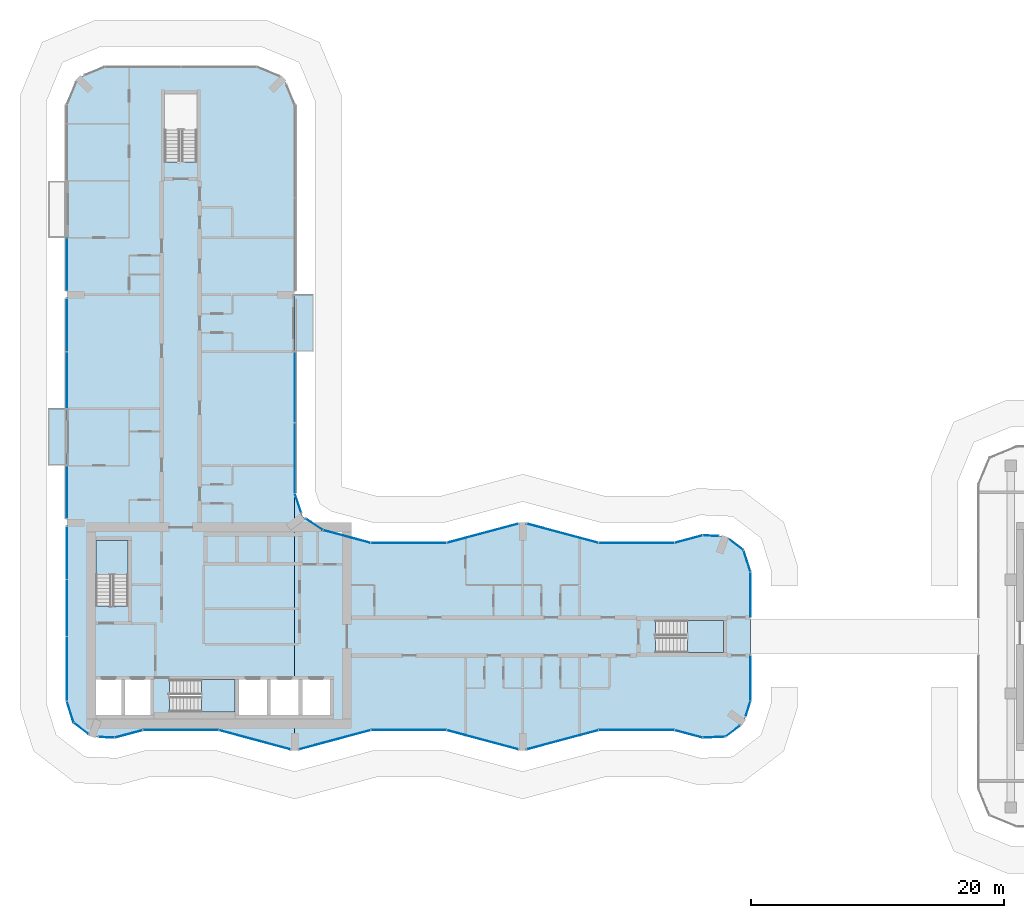
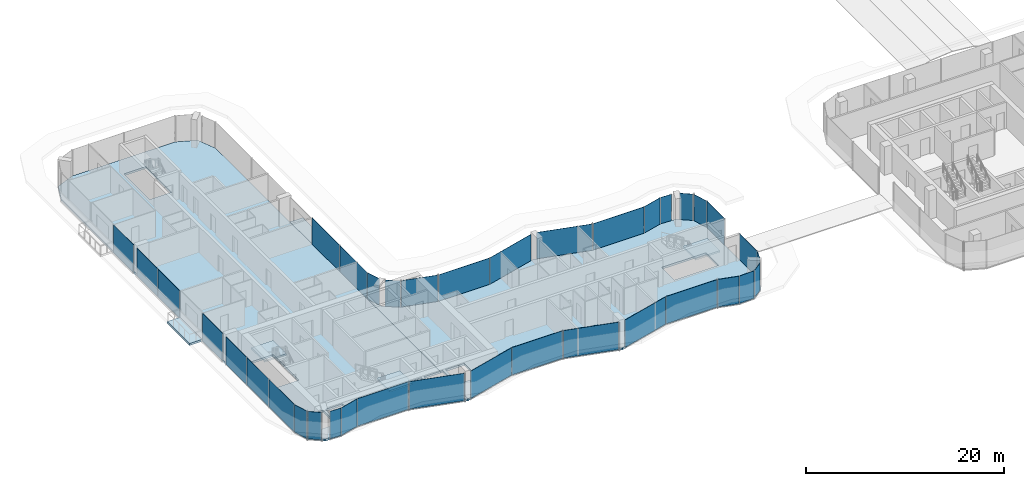
# One storey, part 11 of 24: 37 plates, 7 slabs, 36 elements without a shape of their own.
"""IFC4 building model written with IfcOpenShell, lengths in metres."""

from ifc_helpers import new_model, si_unit, direction, frame, origin, origin_2d, place, context, subcontext, project, spatial, polyline, rectangle, outline, extrude, material, layer, layer_set, type_object, element, aggregate, save


model = new_model("IFC4")

# Units and contexts
model_context = context("Model", 3, precision=1e-05, world=origin(), true_north=direction((0.0, 1.0)))
body_context = subcontext(model_context, "Body", "Model", "MODEL_VIEW")
ifc_project = project(units=[si_unit("LENGTHUNIT", "METRE"), si_unit("AREAUNIT", "SQUARE_METRE"), si_unit("VOLUMEUNIT", "CUBIC_METRE"), si_unit("PLANEANGLEUNIT", "RADIAN"), si_unit("MASSUNIT", "GRAM", prefix="KILO")], contexts=[model_context])

# Site, building, storey
site_placement = place(None, origin())
site = spatial("IfcSite", under=ifc_project, at=site_placement, CompositionType="ELEMENT")
building_placement = place(site_placement, origin())
building = spatial("IfcBuilding", under=site, at=building_placement, Name="Plateau Cross Towers", CompositionType="ELEMENT")
storey_placement = place(building_placement, frame((0.0, 0.0, 30.300048828125)))
storey = spatial("IfcBuildingStorey", under=building, at=storey_placement, Name="L06", CompositionType="ELEMENT", Elevation=30.300048828125)

# Slabs
ifc_material_1 = material(Name="Concrete C40/50", Category="concrete")
ifc_layer_1 = layer(ifc_material_1, 0.25)
ifc_layer_set_1 = layer_set([ifc_layer_1], Name="Concrete C40/50")
slab_type_1 = type_object("IfcSlabType", Name="Balcony slab 250", PredefinedType="FLOOR", material=ifc_layer_set_1)
slab_1_placement = place(storey_placement, frame((0.0, 0.0, -0.25)))
element("IfcSlab", 1, at=slab_1_placement, inside=storey, type_object=slab_type_1, Name="Balcony slab A-BAL-L06-01", PredefinedType="FLOOR", context=body_context, shape_type="SweptSolid", body=[
    extrude(outline(polyline([(0.0, 22.5), (0.0, 27.0), (-1.5, 27.0), (-1.5, 22.5), (0.0, 22.5)])), origin(), (0.0, 0.0, 1.0), 0.25),
])
slab_2_placement = place(storey_placement, frame((0.0, 0.0, -0.25)))
element("IfcSlab", 2, at=slab_2_placement, inside=storey, type_object=slab_type_1, Name="Balcony slab A-BAL-L06-03", PredefinedType="FLOOR", context=body_context, shape_type="SweptSolid", body=[
    extrude(outline(polyline([(19.5, 31.5), (19.5, 36.0), (18.0, 36.0), (18.0, 31.5), (19.5, 31.5)])), origin(), (0.0, 0.0, 1.0), 0.25),
])

# Curtain wall, plate
ifc_material_2 = material(Name="Dark low-iron glass", Category="glass")
ifc_layer_2 = layer(ifc_material_2, 0.239990234375)
ifc_layer_set_2 = layer_set([ifc_layer_2], Name="Dark low-iron glass")
curtain_wall_type_1 = type_object("IfcCurtainWallType", Name="Curtain wall flush unitised CW-B", PredefinedType="NOTDEFINED", material=ifc_layer_set_2)
curtain_wall_1_placement = place(storey_placement, origin())
curtain_wall_1 = element("IfcCurtainWall", 3, at=curtain_wall_1_placement, inside=storey, type_object=curtain_wall_type_1, Name="ENV/A/L06/A502_10", PredefinedType="NOTDEFINED")
ifc_layer_3 = layer(ifc_material_2, 0.031982421875)
ifc_layer_set_3 = layer_set([ifc_layer_3], Name="Dark low-iron glass")
plate_type_1 = type_object("IfcPlateType", Name="Glass panel 32 flush unitised", PredefinedType="CURTAIN_PANEL", material=ifc_layer_set_3)
plate_1_placement = place(storey_placement, frame((51.125, 1.05078125, -0.1298828125), z_axis=(0.0, 0.0, 1.0), x_axis=(0.999043701491, 0.043722791671, 0.0)))
plate_1 = element("IfcPlate", 4, at=plate_1_placement, type_object=plate_type_1, Name="CW-B panel 1", PredefinedType="CURTAIN_PANEL", context=body_context, shape_type="SweptSolid", body=[
    extrude(rectangle(XDim=1.744140625, YDim=0.031982421875, at=origin_2d()), origin(), (0.0, 0.0, 1.0), 3.3798828125),
])
aggregate(curtain_wall_1, [plate_1])

curtain_wall_2_placement = place(storey_placement, origin())
curtain_wall_2 = element("IfcCurtainWall", 5, at=curtain_wall_2_placement, inside=storey, type_object=curtain_wall_type_1, Name="ENV/A/L06/A520_11", PredefinedType="NOTDEFINED")
plate_2_placement = place(storey_placement, frame((52.60986328125, 1.5380859375, -0.1298828125), z_axis=(0.0, 0.0, 1.0), x_axis=(0.793315514529, 0.608810721331, 0.0)))
plate_2 = element("IfcPlate", 6, at=plate_2_placement, type_object=plate_type_1, Name="CW-B panel 1", PredefinedType="CURTAIN_PANEL", context=body_context, shape_type="SweptSolid", body=[
    extrude(rectangle(XDim=1.41162109375, YDim=0.031982421875, at=origin_2d()), origin(), (0.0, 0.0, 1.0), 3.3798828125),
])
aggregate(curtain_wall_2, [plate_2])

curtain_wall_3_placement = place(storey_placement, origin())
curtain_wall_3 = element("IfcCurtainWall", 7, at=curtain_wall_3_placement, inside=storey, type_object=curtain_wall_type_1, Name="ENV/A/L06/A536_27", PredefinedType="NOTDEFINED")
plate_3_placement = place(storey_placement, frame((53.805419921875, 3.292236328125, -0.1298828125), z_axis=(0.0, 0.0, 1.0), x_axis=(0.300686174994, 0.95372313811, 0.0)))
plate_3 = element("IfcPlate", 8, at=plate_3_placement, type_object=plate_type_1, Name="CW-B panel 1", PredefinedType="CURTAIN_PANEL", context=body_context, shape_type="SweptSolid", body=[
    extrude(rectangle(XDim=1.233642578125, YDim=0.031982421875, at=origin_2d()), origin(), (0.0, 0.0, 1.0), 3.3798828125),
])
aggregate(curtain_wall_3, [plate_3])

curtain_wall_4_placement = place(storey_placement, origin())
curtain_wall_4 = element("IfcCurtainWall", 9, at=curtain_wall_4_placement, inside=storey, type_object=curtain_wall_type_1, Name="ENV/A/L06/A540_39", PredefinedType="NOTDEFINED")
plate_4_placement = place(storey_placement, frame((54.0, 5.70458984375, -0.1298828125), z_axis=(0.0, 0.0, 1.0), x_axis=(0.0, 1.0, 0.0)))
plate_4 = element("IfcPlate", 10, at=plate_4_placement, type_object=plate_type_1, Name="CW-B panel 1", PredefinedType="CURTAIN_PANEL", context=body_context, shape_type="SweptSolid", body=[
    extrude(rectangle(XDim=3.53076171875, YDim=0.031982421875, at=origin_2d()), origin(), (0.0, 0.0, 1.0), 3.3798828125),
])
aggregate(curtain_wall_4, [plate_4])

curtain_wall_5_placement = place(storey_placement, origin())
curtain_wall_5 = element("IfcCurtainWall", 11, at=curtain_wall_5_placement, inside=storey, type_object=curtain_wall_type_1, Name="ENV/A/L06/A540_105", PredefinedType="NOTDEFINED")
plate_5_placement = place(storey_placement, frame((54.0, 12.29541015625, -0.1298828125), z_axis=(0.0, 0.0, 1.0), x_axis=(0.0, 1.0, 0.0)))
plate_5 = element("IfcPlate", 12, at=plate_5_placement, type_object=plate_type_1, Name="CW-B panel 1", PredefinedType="CURTAIN_PANEL", context=body_context, shape_type="SweptSolid", body=[
    extrude(rectangle(XDim=3.53076171875, YDim=0.031982421875, at=origin_2d()), origin(), (0.0, 0.0, 1.0), 3.3798828125),
])
aggregate(curtain_wall_5, [plate_5])

curtain_wall_6_placement = place(storey_placement, origin())
curtain_wall_6 = element("IfcCurtainWall", 13, at=curtain_wall_6_placement, inside=storey, type_object=curtain_wall_type_1, Name="ENV/A/L06/A540_141", PredefinedType="NOTDEFINED")
plate_6_placement = place(storey_placement, frame((53.728759765625, 14.951171875, -0.1298828125), z_axis=(0.0, 0.0, 1.0), x_axis=(-0.300686174994, 0.95372313811, 0.0)))
plate_6 = element("IfcPlate", 14, at=plate_6_placement, type_object=plate_type_1, Name="CW-B panel 1", PredefinedType="CURTAIN_PANEL", context=body_context, shape_type="SweptSolid", body=[
    extrude(rectangle(XDim=1.744140625, YDim=0.031982421875, at=origin_2d()), origin(), (0.0, 0.0, 1.0), 3.3798828125),
])
aggregate(curtain_wall_6, [plate_6])

curtain_wall_7_placement = place(storey_placement, origin())
curtain_wall_7 = element("IfcCurtainWall", 15, at=curtain_wall_7_placement, inside=storey, type_object=curtain_wall_type_1, Name="ENV/A/L06/A535_158", PredefinedType="NOTDEFINED")
plate_7_placement = place(storey_placement, frame((52.873779296875, 16.25927734375, -0.1298828125), z_axis=(0.0, 0.0, 1.0), x_axis=(-0.793315514529, 0.608810721331, 0.0)))
plate_7 = element("IfcPlate", 16, at=plate_7_placement, type_object=plate_type_1, Name="CW-B panel 1", PredefinedType="CURTAIN_PANEL", context=body_context, shape_type="SweptSolid", body=[
    extrude(rectangle(XDim=1.41162109375, YDim=0.031982421875, at=origin_2d()), origin(), (0.0, 0.0, 1.0), 3.3798828125),
])
aggregate(curtain_wall_7, [plate_7])

curtain_wall_8_placement = place(storey_placement, origin())
curtain_wall_8 = element("IfcCurtainWall", 17, at=curtain_wall_8_placement, inside=storey, type_object=curtain_wall_type_1, Name="ENV/A/L06/A515_169", PredefinedType="NOTDEFINED")
plate_8_placement = place(storey_placement, frame((50.8701171875, 16.96044921875, -0.1298828125), z_axis=(0.0, 0.0, 1.0), x_axis=(-0.999043701491, 0.043722791671, 0.0)))
plate_8 = element("IfcPlate", 18, at=plate_8_placement, type_object=plate_type_1, Name="CW-B panel 1", PredefinedType="CURTAIN_PANEL", context=body_context, shape_type="SweptSolid", body=[
    extrude(rectangle(XDim=1.233642578125, YDim=0.031982421875, at=origin_2d()), origin(), (0.0, 0.0, 1.0), 3.3798828125),
])
aggregate(curtain_wall_8, [plate_8])

curtain_wall_9_placement = place(storey_placement, origin())
curtain_wall_9 = element("IfcCurtainWall", 19, at=curtain_wall_9_placement, inside=storey, type_object=curtain_wall_type_1, Name="ENV/A/L06/A202_174", PredefinedType="NOTDEFINED")
plate_9_placement = place(storey_placement, frame((19.546630859375, 17.856689453125, -0.1298828125), z_axis=(0.0, 0.0, 1.0), x_axis=(-0.831521253329, 0.555492938984, 0.0)))
plate_9 = element("IfcPlate", 20, at=plate_9_placement, type_object=plate_type_1, Name="CW-B panel 1", PredefinedType="CURTAIN_PANEL", context=body_context, shape_type="SweptSolid", body=[
    extrude(rectangle(XDim=1.56884765625, YDim=0.031982421875, at=origin_2d()), origin(), (0.0, 0.0, 1.0), 3.3798828125),
])
aggregate(curtain_wall_9, [plate_9])

curtain_wall_10_placement = place(storey_placement, origin())
curtain_wall_10 = element("IfcCurtainWall", 21, at=curtain_wall_10_placement, inside=storey, type_object=curtain_wall_type_1, Name="ENV/A/L06/A185_188", PredefinedType="NOTDEFINED")
plate_10_placement = place(storey_placement, frame((18.26171875, 19.531005859375, -0.1298828125), z_axis=(0.0, 0.0, 1.0), x_axis=(-0.321469161574, 0.94692004845, 0.0)))
plate_10 = element("IfcPlate", 22, at=plate_10_placement, type_object=plate_type_1, Name="CW-B panel 1", PredefinedType="CURTAIN_PANEL", context=body_context, shape_type="SweptSolid", body=[
    extrude(rectangle(XDim=1.56884765625, YDim=0.031982421875, at=origin_2d()), origin(), (0.0, 0.0, 1.0), 3.3798828125),
])
aggregate(curtain_wall_10, [plate_10])

# Curtain wall, plates
curtain_wall_11_placement = place(storey_placement, origin())
curtain_wall_11 = element("IfcCurtainWall", 23, at=curtain_wall_11_placement, inside=storey, type_object=curtain_wall_type_1, Name="ENV/A/L06/A180_203", PredefinedType="NOTDEFINED")
plate_11_placement = place(storey_placement, frame((18.0, 23.09912109375, -0.1298828125), z_axis=(0.0, 0.0, 1.0), x_axis=(0.0, 1.0, 0.0)))
plate_11 = element("IfcPlate", 24, at=plate_11_placement, type_object=plate_type_1, Name="CW-B panel 1", PredefinedType="CURTAIN_PANEL", context=body_context, shape_type="SweptSolid", body=[
    extrude(rectangle(XDim=5.533935546875, YDim=0.031982421875, at=origin_2d()), origin(), (0.0, 0.0, 1.0), 3.3798828125),
])
plate_12_placement = place(storey_placement, frame((18.0, 28.693115234375, -0.1298828125), z_axis=(0.0, 0.0, 1.0), x_axis=(0.0, 1.0, 0.0)))
plate_12 = element("IfcPlate", 25, at=plate_12_placement, type_object=plate_type_1, Name="CW-B panel 2", PredefinedType="CURTAIN_PANEL", context=body_context, shape_type="SweptSolid", body=[
    extrude(rectangle(XDim=5.533935546875, YDim=0.031982421875, at=origin_2d()), origin(), (0.0, 0.0, 1.0), 3.3798828125),
])
aggregate(curtain_wall_11, [plate_11, plate_12])

# Curtain wall, plate
curtain_wall_12_placement = place(storey_placement, origin())
curtain_wall_12 = element("IfcCurtainWall", 26, at=curtain_wall_12_placement, inside=storey, type_object=curtain_wall_type_1, Name="ENV/A/L06/A0_405", PredefinedType="NOTDEFINED")
plate_13_placement = place(storey_placement, frame((0.0, 38.39501953125, -0.1298828125), z_axis=(0.0, 0.0, 1.0), x_axis=(0.0, -1.0, 0.0)))
plate_13 = element("IfcPlate", 27, at=plate_13_placement, type_object=plate_type_1, Name="CW-B panel 1", PredefinedType="CURTAIN_PANEL", context=body_context, shape_type="SweptSolid", body=[
    extrude(rectangle(XDim=4.1298828125, YDim=0.031982421875, at=origin_2d()), origin(), (0.0, 0.0, 1.0), 3.3798828125),
])
aggregate(curtain_wall_12, [plate_13])

# Curtain wall, plates
curtain_wall_13_placement = place(storey_placement, origin())
curtain_wall_13 = element("IfcCurtainWall", 28, at=curtain_wall_13_placement, inside=storey, type_object=curtain_wall_type_1, Name="ENV/A/L06/A0_357", PredefinedType="NOTDEFINED")
plate_14_placement = place(storey_placement, frame((0.0, 33.60009765625, -0.1298828125), z_axis=(0.0, 0.0, 1.0), x_axis=(0.0, -1.0, 0.0)))
plate_14 = element("IfcPlate", 29, at=plate_14_placement, type_object=plate_type_1, Name="CW-B panel 1", PredefinedType="CURTAIN_PANEL", context=body_context, shape_type="SweptSolid", body=[
    extrude(rectangle(XDim=4.139892578125, YDim=0.031982421875, at=origin_2d()), origin(), (0.0, 0.0, 1.0), 3.3798828125),
])
plate_15_placement = place(storey_placement, frame((0.0, 29.2548828125, -0.1298828125), z_axis=(0.0, 0.0, 1.0), x_axis=(0.0, -1.0, 0.0)))
plate_15 = element("IfcPlate", 30, at=plate_15_placement, type_object=plate_type_1, Name="CW-B panel 2", PredefinedType="CURTAIN_PANEL", context=body_context, shape_type="SweptSolid", body=[
    extrude(rectangle(XDim=4.429931640625, YDim=0.031982421875, at=origin_2d()), origin(), (0.0, 0.0, 1.0), 3.3798828125),
])
aggregate(curtain_wall_13, [plate_14, plate_15])

# Curtain wall, plate
curtain_wall_14_placement = place(storey_placement, origin())
curtain_wall_14 = element("IfcCurtainWall", 31, at=curtain_wall_14_placement, inside=storey, type_object=curtain_wall_type_1, Name="ENV/A/L06/A0_225", PredefinedType="NOTDEFINED")
plate_16_placement = place(storey_placement, frame((0.0, 20.39501953125, -0.1298828125), z_axis=(0.0, 0.0, 1.0), x_axis=(0.0, -1.0, 0.0)))
plate_16 = element("IfcPlate", 32, at=plate_16_placement, type_object=plate_type_1, Name="CW-B panel 1", PredefinedType="CURTAIN_PANEL", context=body_context, shape_type="SweptSolid", body=[
    extrude(rectangle(XDim=4.1298828125, YDim=0.031982421875, at=origin_2d()), origin(), (0.0, 0.0, 1.0), 3.3798828125),
])
aggregate(curtain_wall_14, [plate_16])

# Curtain wall, plates
curtain_wall_15_placement = place(storey_placement, origin())
curtain_wall_15 = element("IfcCurtainWall", 33, at=curtain_wall_15_placement, inside=storey, type_object=curtain_wall_type_1, Name="ENV/A/L06/A0_177", PredefinedType="NOTDEFINED")
plate_17_placement = place(storey_placement, frame((0.0, 15.60009765625, -0.1298828125), z_axis=(0.0, 0.0, 1.0), x_axis=(0.0, -1.0, 0.0)))
plate_17 = element("IfcPlate", 34, at=plate_17_placement, type_object=plate_type_1, Name="CW-B panel 1", PredefinedType="CURTAIN_PANEL", context=body_context, shape_type="SweptSolid", body=[
    extrude(rectangle(XDim=4.139892578125, YDim=0.031982421875, at=origin_2d()), origin(), (0.0, 0.0, 1.0), 3.3798828125),
])
plate_18_placement = place(storey_placement, frame((0.0, 11.25, -0.1298828125), z_axis=(0.0, 0.0, 1.0), x_axis=(0.0, -1.0, 0.0)))
plate_18 = element("IfcPlate", 35, at=plate_18_placement, type_object=plate_type_1, Name="CW-B panel 2", PredefinedType="CURTAIN_PANEL", context=body_context, shape_type="SweptSolid", body=[
    extrude(rectangle(XDim=4.43994140625, YDim=0.031982421875, at=origin_2d()), origin(), (0.0, 0.0, 1.0), 3.3798828125),
])
plate_19_placement = place(storey_placement, frame((0.0, 6.45458984375, -0.1298828125), z_axis=(0.0, 0.0, 1.0), x_axis=(0.0, -1.0, 0.0)))
plate_19 = element("IfcPlate", 36, at=plate_19_placement, type_object=plate_type_1, Name="CW-B panel 3", PredefinedType="CURTAIN_PANEL", context=body_context, shape_type="SweptSolid", body=[
    extrude(rectangle(XDim=5.03076171875, YDim=0.031982421875, at=origin_2d()), origin(), (0.0, 0.0, 1.0), 3.3798828125),
])
aggregate(curtain_wall_15, [plate_17, plate_18, plate_19])

# Curtain wall, plate
curtain_wall_16_placement = place(storey_placement, origin())
curtain_wall_16 = element("IfcCurtainWall", 37, at=curtain_wall_16_placement, inside=storey, type_object=curtain_wall_type_1, Name="ENV/A/L06/A0_39", PredefinedType="NOTDEFINED")
plate_20_placement = place(storey_placement, frame((0.271240234375, 3.048828125, -0.1298828125), z_axis=(0.0, 0.0, 1.0), x_axis=(0.300686174994, -0.95372313811, 0.0)))
plate_20 = element("IfcPlate", 38, at=plate_20_placement, type_object=plate_type_1, Name="CW-B panel 1", PredefinedType="CURTAIN_PANEL", context=body_context, shape_type="SweptSolid", body=[
    extrude(rectangle(XDim=1.744140625, YDim=0.031982421875, at=origin_2d()), origin(), (0.0, 0.0, 1.0), 3.3798828125),
])
aggregate(curtain_wall_16, [plate_20])

curtain_wall_17_placement = place(storey_placement, origin())
curtain_wall_17 = element("IfcCurtainWall", 39, at=curtain_wall_17_placement, inside=storey, type_object=curtain_wall_type_1, Name="ENV/A/L06/A5_22", PredefinedType="NOTDEFINED")
plate_21_placement = place(storey_placement, frame((1.126220703125, 1.74072265625, -0.1298828125), z_axis=(0.0, 0.0, 1.0), x_axis=(0.793315514529, -0.608810721331, 0.0)))
plate_21 = element("IfcPlate", 40, at=plate_21_placement, type_object=plate_type_1, Name="CW-B panel 1", PredefinedType="CURTAIN_PANEL", context=body_context, shape_type="SweptSolid", body=[
    extrude(rectangle(XDim=1.41162109375, YDim=0.031982421875, at=origin_2d()), origin(), (0.0, 0.0, 1.0), 3.3798828125),
])
aggregate(curtain_wall_17, [plate_21])

curtain_wall_18_placement = place(storey_placement, origin())
curtain_wall_18 = element("IfcCurtainWall", 41, at=curtain_wall_18_placement, inside=storey, type_object=curtain_wall_type_1, Name="ENV/A/L06/A25_11", PredefinedType="NOTDEFINED")
plate_22_placement = place(storey_placement, frame((3.1298828125, 1.03955078125, -0.1298828125), z_axis=(0.0, 0.0, 1.0), x_axis=(0.999043701491, -0.043722791671, 0.0)))
plate_22 = element("IfcPlate", 42, at=plate_22_placement, type_object=plate_type_1, Name="CW-B panel 1", PredefinedType="CURTAIN_PANEL", context=body_context, shape_type="SweptSolid", body=[
    extrude(rectangle(XDim=1.233642578125, YDim=0.031982421875, at=origin_2d()), origin(), (0.0, 0.0, 1.0), 3.3798828125),
])
aggregate(curtain_wall_18, [plate_22])

ifc_layer_4 = layer(ifc_material_2, 0.260009765625)
ifc_layer_set_4 = layer_set([ifc_layer_4], Name="Dark low-iron glass")
curtain_wall_type_2 = type_object("IfcCurtainWallType", Name="Curtain wall fluted unitised CW-A", PredefinedType="NOTDEFINED", material=ifc_layer_set_4)
curtain_wall_19_placement = place(storey_placement, origin())
curtain_wall_19 = element("IfcCurtainWall", 43, at=curtain_wall_19_placement, inside=storey, type_object=curtain_wall_type_2, Name="ENV/A/L06/A38_10", PredefinedType="NOTDEFINED")
ifc_layer_5 = layer(ifc_material_2, 0.035888671875)
ifc_layer_set_5 = layer_set([ifc_layer_5], Name="Dark low-iron glass")
plate_type_2 = type_object("IfcPlateType", Name="Glass panel 36 fluted unitised", PredefinedType="CURTAIN_PANEL", material=ifc_layer_set_5)
plate_23_placement = place(storey_placement, frame((4.887939453125, 1.30908203125, -0.1298828125), z_axis=(0.0, 0.0, 1.0), x_axis=(0.965957962328, 0.258699081978, 0.0)))
plate_23 = element("IfcPlate", 44, at=plate_23_placement, type_object=plate_type_2, Name="CW-A panel 1", PredefinedType="CURTAIN_PANEL", context=body_context, shape_type="SweptSolid", body=[
    extrude(rectangle(XDim=2.2421875, YDim=0.035888671875, at=origin_2d()), origin(), (0.0, 0.0, 1.0), 3.3798828125),
])
aggregate(curtain_wall_19, [plate_23])

curtain_wall_20_placement = place(storey_placement, origin())
curtain_wall_20 = element("IfcCurtainWall", 45, at=curtain_wall_20_placement, inside=storey, type_object=curtain_wall_type_2, Name="ENV/A/L06/A60_16", PredefinedType="NOTDEFINED")
plate_24_placement = place(storey_placement, frame((9.0, 1.60693359375, -0.1298828125), z_axis=(0.0, 0.0, 1.0), x_axis=(1.0, 0.0, 0.0)))
plate_24 = element("IfcPlate", 46, at=plate_24_placement, type_object=plate_type_2, Name="CW-A panel 1", PredefinedType="CURTAIN_PANEL", context=body_context, shape_type="SweptSolid", body=[
    extrude(rectangle(XDim=5.93994140625, YDim=0.035888671875, at=origin_2d()), origin(), (0.0, 0.0, 1.0), 3.3798828125),
])
aggregate(curtain_wall_20, [plate_24])

curtain_wall_21_placement = place(storey_placement, origin())
curtain_wall_21 = element("IfcCurtainWall", 47, at=curtain_wall_21_placement, inside=storey, type_object=curtain_wall_type_2, Name="ENV/A/L06/A120_16", PredefinedType="NOTDEFINED")
plate_25_placement = place(storey_placement, frame((14.841064453125, 0.845947265625, -0.1298828125), z_axis=(0.0, 0.0, 1.0), x_axis=(0.965957983404, -0.258699003279, 0.0)))
plate_25 = element("IfcPlate", 48, at=plate_25_placement, type_object=plate_type_2, Name="CW-A panel 1", PredefinedType="CURTAIN_PANEL", context=body_context, shape_type="SweptSolid", body=[
    extrude(rectangle(XDim=5.822265625, YDim=0.035888671875, at=origin_2d()), origin(), (0.0, 0.0, 1.0), 3.3798828125),
])
aggregate(curtain_wall_21, [plate_25])

curtain_wall_22_placement = place(storey_placement, origin())
curtain_wall_22 = element("IfcCurtainWall", 49, at=curtain_wall_22_placement, inside=storey, type_object=curtain_wall_type_2, Name="ENV/A/L06/A183_1", PredefinedType="NOTDEFINED")
plate_26_placement = place(storey_placement, frame((21.158935546875, 0.845947265625, -0.1298828125), z_axis=(0.0, 0.0, 1.0), x_axis=(0.965957983404, 0.258699003279, 0.0)))
plate_26 = element("IfcPlate", 50, at=plate_26_placement, type_object=plate_type_2, Name="CW-A panel 1", PredefinedType="CURTAIN_PANEL", context=body_context, shape_type="SweptSolid", body=[
    extrude(rectangle(XDim=5.822265625, YDim=0.035888671875, at=origin_2d()), origin(), (0.0, 0.0, 1.0), 3.3798828125),
])
aggregate(curtain_wall_22, [plate_26])

curtain_wall_23_placement = place(storey_placement, origin())
curtain_wall_23 = element("IfcCurtainWall", 51, at=curtain_wall_23_placement, inside=storey, type_object=curtain_wall_type_2, Name="ENV/A/L06/A240_16", PredefinedType="NOTDEFINED")
plate_27_placement = place(storey_placement, frame((27.0, 1.60693359375, -0.1298828125), z_axis=(0.0, 0.0, 1.0), x_axis=(1.0, 0.0, 0.0)))
plate_27 = element("IfcPlate", 52, at=plate_27_placement, type_object=plate_type_2, Name="CW-A panel 1", PredefinedType="CURTAIN_PANEL", context=body_context, shape_type="SweptSolid", body=[
    extrude(rectangle(XDim=5.93994140625, YDim=0.035888671875, at=origin_2d()), origin(), (0.0, 0.0, 1.0), 3.3798828125),
])
aggregate(curtain_wall_23, [plate_27])

curtain_wall_24_placement = place(storey_placement, origin())
curtain_wall_24 = element("IfcCurtainWall", 53, at=curtain_wall_24_placement, inside=storey, type_object=curtain_wall_type_2, Name="ENV/A/L06/A300_16", PredefinedType="NOTDEFINED")
plate_28_placement = place(storey_placement, frame((32.841064453125, 0.845947265625, -0.1298828125), z_axis=(0.0, 0.0, 1.0), x_axis=(0.965957983404, -0.258699003279, 0.0)))
plate_28 = element("IfcPlate", 54, at=plate_28_placement, type_object=plate_type_2, Name="CW-A panel 1", PredefinedType="CURTAIN_PANEL", context=body_context, shape_type="SweptSolid", body=[
    extrude(rectangle(XDim=5.822265625, YDim=0.035888671875, at=origin_2d()), origin(), (0.0, 0.0, 1.0), 3.3798828125),
])
aggregate(curtain_wall_24, [plate_28])

curtain_wall_25_placement = place(storey_placement, origin())
curtain_wall_25 = element("IfcCurtainWall", 55, at=curtain_wall_25_placement, inside=storey, type_object=curtain_wall_type_2, Name="ENV/A/L06/A363_1", PredefinedType="NOTDEFINED")
plate_29_placement = place(storey_placement, frame((39.158935546875, 0.845947265625, -0.1298828125), z_axis=(0.0, 0.0, 1.0), x_axis=(0.965957983404, 0.258699003279, 0.0)))
plate_29 = element("IfcPlate", 56, at=plate_29_placement, type_object=plate_type_2, Name="CW-A panel 1", PredefinedType="CURTAIN_PANEL", context=body_context, shape_type="SweptSolid", body=[
    extrude(rectangle(XDim=5.822265625, YDim=0.035888671875, at=origin_2d()), origin(), (0.0, 0.0, 1.0), 3.3798828125),
])
aggregate(curtain_wall_25, [plate_29])

curtain_wall_26_placement = place(storey_placement, origin())
curtain_wall_26 = element("IfcCurtainWall", 57, at=curtain_wall_26_placement, inside=storey, type_object=curtain_wall_type_2, Name="ENV/A/L06/A420_16", PredefinedType="NOTDEFINED")
plate_30_placement = place(storey_placement, frame((45.0, 1.60693359375, -0.1298828125), z_axis=(0.0, 0.0, 1.0), x_axis=(1.0, 0.0, 0.0)))
plate_30 = element("IfcPlate", 58, at=plate_30_placement, type_object=plate_type_2, Name="CW-A panel 1", PredefinedType="CURTAIN_PANEL", context=body_context, shape_type="SweptSolid", body=[
    extrude(rectangle(XDim=5.93994140625, YDim=0.035888671875, at=origin_2d()), origin(), (0.0, 0.0, 1.0), 3.3798828125),
])
aggregate(curtain_wall_26, [plate_30])

curtain_wall_27_placement = place(storey_placement, origin())
curtain_wall_27 = element("IfcCurtainWall", 59, at=curtain_wall_27_placement, inside=storey, type_object=curtain_wall_type_2, Name="ENV/A/L06/A480_16", PredefinedType="NOTDEFINED")
plate_31_placement = place(storey_placement, frame((49.112060546875, 1.30908203125, -0.1298828125), z_axis=(0.0, 0.0, 1.0), x_axis=(0.965957962328, -0.258699081978, 0.0)))
plate_31 = element("IfcPlate", 60, at=plate_31_placement, type_object=plate_type_2, Name="CW-A panel 1", PredefinedType="CURTAIN_PANEL", context=body_context, shape_type="SweptSolid", body=[
    extrude(rectangle(XDim=2.2421875, YDim=0.035888671875, at=origin_2d()), origin(), (0.0, 0.0, 1.0), 3.3798828125),
])
aggregate(curtain_wall_27, [plate_31])

curtain_wall_28_placement = place(storey_placement, origin())
curtain_wall_28 = element("IfcCurtainWall", 61, at=curtain_wall_28_placement, inside=storey, type_object=curtain_wall_type_2, Name="ENV/A/L06/A502_170", PredefinedType="NOTDEFINED")
plate_32_placement = place(storey_placement, frame((49.112060546875, 16.69091796875, -0.1298828125), z_axis=(0.0, 0.0, 1.0), x_axis=(-0.965957962328, -0.258699081978, 0.0)))
plate_32 = element("IfcPlate", 62, at=plate_32_placement, type_object=plate_type_2, Name="CW-A panel 1", PredefinedType="CURTAIN_PANEL", context=body_context, shape_type="SweptSolid", body=[
    extrude(rectangle(XDim=2.2421875, YDim=0.035888671875, at=origin_2d()), origin(), (0.0, 0.0, 1.0), 3.3798828125),
])
aggregate(curtain_wall_28, [plate_32])

curtain_wall_29_placement = place(storey_placement, origin())
curtain_wall_29 = element("IfcCurtainWall", 63, at=curtain_wall_29_placement, inside=storey, type_object=curtain_wall_type_2, Name="ENV/A/L06/A480_164", PredefinedType="NOTDEFINED")
plate_33_placement = place(storey_placement, frame((45.0, 16.39306640625, -0.1298828125), z_axis=(0.0, 0.0, 1.0), x_axis=(-1.0, 0.0, 0.0)))
plate_33 = element("IfcPlate", 64, at=plate_33_placement, type_object=plate_type_2, Name="CW-A panel 1", PredefinedType="CURTAIN_PANEL", context=body_context, shape_type="SweptSolid", body=[
    extrude(rectangle(XDim=5.93994140625, YDim=0.035888671875, at=origin_2d()), origin(), (0.0, 0.0, 1.0), 3.3798828125),
])
aggregate(curtain_wall_29, [plate_33])

curtain_wall_30_placement = place(storey_placement, origin())
curtain_wall_30 = element("IfcCurtainWall", 65, at=curtain_wall_30_placement, inside=storey, type_object=curtain_wall_type_2, Name="ENV/A/L06/A420_164", PredefinedType="NOTDEFINED")
plate_34_placement = place(storey_placement, frame((39.158935546875, 17.154052734375, -0.1298828125), z_axis=(0.0, 0.0, 1.0), x_axis=(-0.965957983404, 0.258699003279, 0.0)))
plate_34 = element("IfcPlate", 66, at=plate_34_placement, type_object=plate_type_2, Name="CW-A panel 1", PredefinedType="CURTAIN_PANEL", context=body_context, shape_type="SweptSolid", body=[
    extrude(rectangle(XDim=5.822265625, YDim=0.035888671875, at=origin_2d()), origin(), (0.0, 0.0, 1.0), 3.3798828125),
])
aggregate(curtain_wall_30, [plate_34])

curtain_wall_31_placement = place(storey_placement, origin())
curtain_wall_31 = element("IfcCurtainWall", 67, at=curtain_wall_31_placement, inside=storey, type_object=curtain_wall_type_2, Name="ENV/A/L06/A357_179", PredefinedType="NOTDEFINED")
plate_35_placement = place(storey_placement, frame((32.841064453125, 17.154052734375, -0.1298828125), z_axis=(0.0, 0.0, 1.0), x_axis=(-0.965957983404, -0.258699003279, 0.0)))
plate_35 = element("IfcPlate", 68, at=plate_35_placement, type_object=plate_type_2, Name="CW-A panel 1", PredefinedType="CURTAIN_PANEL", context=body_context, shape_type="SweptSolid", body=[
    extrude(rectangle(XDim=5.822265625, YDim=0.035888671875, at=origin_2d()), origin(), (0.0, 0.0, 1.0), 3.3798828125),
])
aggregate(curtain_wall_31, [plate_35])

curtain_wall_32_placement = place(storey_placement, origin())
curtain_wall_32 = element("IfcCurtainWall", 69, at=curtain_wall_32_placement, inside=storey, type_object=curtain_wall_type_2, Name="ENV/A/L06/A300_164", PredefinedType="NOTDEFINED")
plate_36_placement = place(storey_placement, frame((27.0, 16.39306640625, -0.1298828125), z_axis=(0.0, 0.0, 1.0), x_axis=(-1.0, 0.0, 0.0)))
plate_36 = element("IfcPlate", 70, at=plate_36_placement, type_object=plate_type_2, Name="CW-A panel 1", PredefinedType="CURTAIN_PANEL", context=body_context, shape_type="SweptSolid", body=[
    extrude(rectangle(XDim=5.93994140625, YDim=0.035888671875, at=origin_2d()), origin(), (0.0, 0.0, 1.0), 3.3798828125),
])
aggregate(curtain_wall_32, [plate_36])

curtain_wall_33_placement = place(storey_placement, origin())
curtain_wall_33 = element("IfcCurtainWall", 71, at=curtain_wall_33_placement, inside=storey, type_object=curtain_wall_type_2, Name="ENV/A/L06/A240_164", PredefinedType="NOTDEFINED")
plate_37_placement = place(storey_placement, frame((22.112060546875, 16.898681640625, -0.1298828125), z_axis=(0.0, 0.0, 1.0), x_axis=(-0.965957995816, 0.258698956933, 0.0)))
plate_37 = element("IfcPlate", 72, at=plate_37_placement, type_object=plate_type_2, Name="CW-A panel 1", PredefinedType="CURTAIN_PANEL", context=body_context, shape_type="SweptSolid", body=[
    extrude(rectangle(XDim=3.84912109375, YDim=0.035888671875, at=origin_2d()), origin(), (0.0, 0.0, 1.0), 3.3798828125),
])
aggregate(curtain_wall_33, [plate_37])

# Slabs
ifc_layer_6 = layer(ifc_material_1, 0.25)
ifc_layer_set_6 = layer_set([ifc_layer_6], Name="Concrete C40/50")
slab_type_2 = type_object("IfcSlabType", Name="Post-tensioned flat plate slab 250", PredefinedType="FLOOR", material=ifc_layer_set_6)
slab_3_placement = place(storey_placement, frame((0.0, 0.0, -0.25)))
element("IfcSlab", 73, at=slab_3_placement, inside=storey, type_object=slab_type_2, Name="SL-A-L06 1", PredefinedType="FLOOR", context=body_context, shape_type="SweptSolid", body=[
    extrude(outline(polyline([(0.54248046875, 2.1884765625), (0.0, 3.9091796875), (0.0, 51.0), (0.878662109375, 53.121337890625), (3.0, 54.0), (15.0, 54.0), (17.121337890625, 53.121337890625), (18.0, 51.0), (18.0, 20.30224609375), (18.0, 5.60009765625), (16.10009765625, 5.60009765625), (16.10009765625, 2.800048828125), (18.0, 2.800048828125), (18.0, 0.0), (12.0, 1.60693359375), (6.0, 1.60693359375), (3.776123046875, 1.01123046875), (1.9736328125, 1.090087890625), (0.54248046875, 2.1884765625)]), holes=[polyline([(4.300048828125, 5.60009765625), (2.300048828125, 5.60009765625), (2.300048828125, 2.800048828125), (4.300048828125, 2.800048828125), (4.300048828125, 5.60009765625)]), polyline([(6.60009765625, 5.60009765625), (4.60009765625, 5.60009765625), (4.60009765625, 2.800048828125), (6.60009765625, 2.800048828125), (6.60009765625, 5.60009765625)]), polyline([(15.800048828125, 5.60009765625), (13.60009765625, 5.60009765625), (13.60009765625, 2.800048828125), (15.800048828125, 2.800048828125), (15.800048828125, 5.60009765625)]), polyline([(13.300048828125, 5.60009765625), (8.10009765625, 5.60009765625), (8.10009765625, 3.050048828125), (13.300048828125, 3.050048828125), (13.300048828125, 5.60009765625)]), polyline([(4.85009765625, 16.60009765625), (2.300048828125, 16.60009765625), (2.300048828125, 11.39990234375), (4.85009765625, 11.39990234375), (4.85009765625, 16.60009765625)]), polyline([(7.72509765625, 51.699951171875), (7.72509765625, 46.5), (10.27490234375, 46.5), (10.27490234375, 51.699951171875), (7.72509765625, 51.699951171875)])]), origin(), (0.0, 0.0, 1.0), 0.25),
])
slab_4_placement = place(storey_placement, frame((0.0, 0.0, -0.25)))
element("IfcSlab", 74, at=slab_4_placement, inside=storey, type_object=slab_type_2, Name="SL-A-L06 2", PredefinedType="FLOOR", context=body_context, shape_type="SweptSolid", body=[
    extrude(outline(polyline([(18.6201171875, 18.475830078125), (20.223876953125, 17.404296875), (24.0, 16.39306640625), (30.0, 16.39306640625), (36.0, 18.0), (42.0, 16.39306640625), (48.0, 16.39306640625), (50.223876953125, 16.98876953125), (52.0263671875, 16.909912109375), (53.45751953125, 15.8115234375), (54.0, 14.0908203125), (54.0, 3.9091796875), (53.45751953125, 2.1884765625), (52.0263671875, 1.090087890625), (50.223876953125, 1.01123046875), (48.0, 1.60693359375), (42.0, 1.60693359375), (36.0, 0.0), (30.0, 1.60693359375), (24.0, 1.60693359375), (18.0, 0.0), (18.0, 2.800048828125), (18.300048828125, 2.800048828125), (18.300048828125, 5.60009765625), (18.0, 5.60009765625), (18.0, 20.30224609375), (18.6201171875, 18.475830078125)]), holes=[polyline([(20.800048828125, 5.60009765625), (18.60009765625, 5.60009765625), (18.60009765625, 2.800048828125), (20.800048828125, 2.800048828125), (20.800048828125, 5.60009765625)]), polyline([(51.699951171875, 7.72509765625), (51.699951171875, 10.27490234375), (46.5, 10.27490234375), (46.5, 7.72509765625), (51.699951171875, 7.72509765625)])]), origin(), (0.0, 0.0, 1.0), 0.25),
])

# Stair, slab
stair_type = type_object("IfcStairType", Name="ST-TWR", PredefinedType="HALF_TURN_STAIR", material=ifc_material_1)
stair_1_placement = place(storey_placement, origin())
stair_1 = element("IfcStair", 75, at=stair_1_placement, inside=storey, type_object=stair_type, Name="L06 Protected Exit Stair ST-1", PredefinedType="HALF_TURN_STAIR")
ifc_layer_7 = layer(ifc_material_1, 0.199951171875)
ifc_layer_set_7 = layer_set([ifc_layer_7], Name="Concrete C40/50")
slab_type_3 = type_object("IfcSlabType", Name="SL-LANDING", PredefinedType="LANDING", material=ifc_layer_set_7)
slab_5_placement = place(storey_placement, frame((0.0, 0.0, 1.550048828125)))
slab_5 = element("IfcSlab", 76, at=slab_5_placement, type_object=slab_type_3, Name="ST-1 landing 1", PredefinedType="LANDING", context=body_context, shape_type="SweptSolid", body=[
    extrude(outline(polyline([(4.85009765625, 13.919921875), (4.85009765625, 16.60009765625), (2.300048828125, 16.60009765625), (2.300048828125, 13.919921875), (4.85009765625, 13.919921875)])), origin(), (0.0, 0.0, 1.0), 0.199951171875),
])
aggregate(stair_1, [slab_5])

stair_2_placement = place(storey_placement, origin())
stair_2 = element("IfcStair", 77, at=stair_2_placement, inside=storey, type_object=stair_type, Name="L06 Protected Exit Stair ST-2", PredefinedType="HALF_TURN_STAIR")
slab_6_placement = place(storey_placement, frame((0.0, 0.0, 1.550048828125)))
slab_6 = element("IfcSlab", 78, at=slab_6_placement, type_object=slab_type_3, Name="ST-2 landing 1", PredefinedType="LANDING", context=body_context, shape_type="SweptSolid", body=[
    extrude(outline(polyline([(10.6201171875, 3.050048828125), (13.300048828125, 3.050048828125), (13.300048828125, 5.60009765625), (10.6201171875, 5.60009765625), (10.6201171875, 3.050048828125)])), origin(), (0.0, 0.0, 1.0), 0.199951171875),
])
aggregate(stair_2, [slab_6])

stair_3_placement = place(storey_placement, origin())
stair_3 = element("IfcStair", 79, at=stair_3_placement, inside=storey, type_object=stair_type, Name="L06 Protected Exit Stair E", PredefinedType="HALF_TURN_STAIR")
slab_7_placement = place(storey_placement, frame((0.0, 0.0, 1.550048828125)))
slab_7 = element("IfcSlab", 80, at=slab_7_placement, type_object=slab_type_3, Name="ES-E landing 1", PredefinedType="LANDING", context=body_context, shape_type="SweptSolid", body=[
    extrude(outline(polyline([(49.02001953125, 7.72509765625), (51.85009765625, 7.72509765625), (51.85009765625, 10.27490234375), (49.02001953125, 10.27490234375), (49.02001953125, 7.72509765625)])), origin(), (0.0, 0.0, 1.0), 0.199951171875),
])
aggregate(stair_3, [slab_7])

save(model, "model.ifc")
